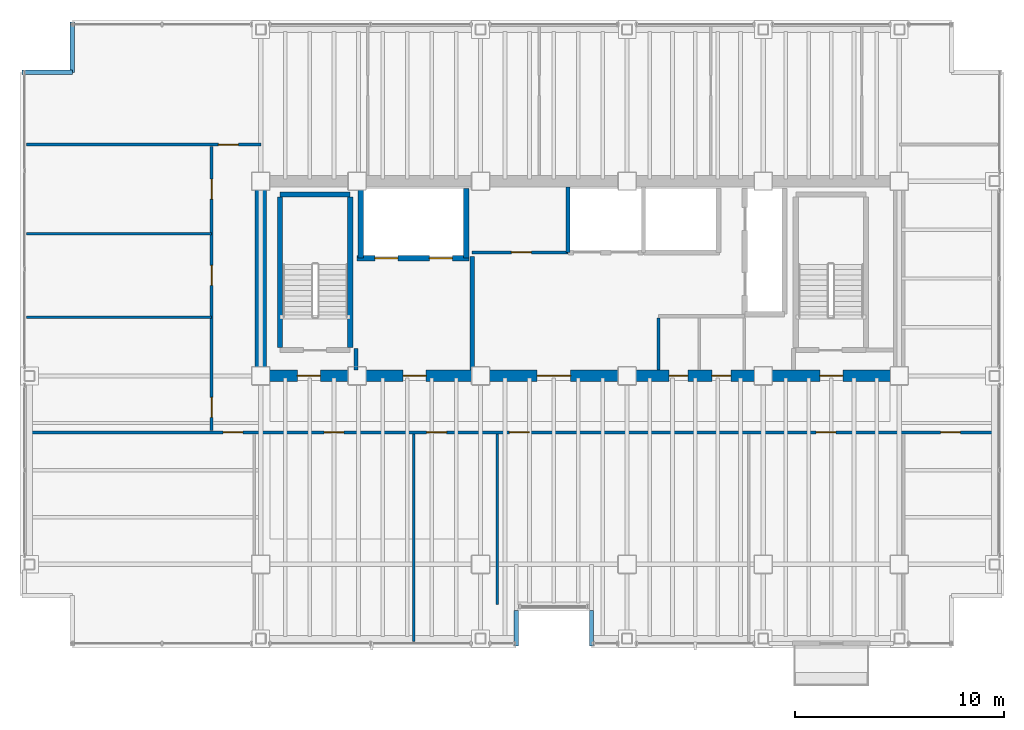
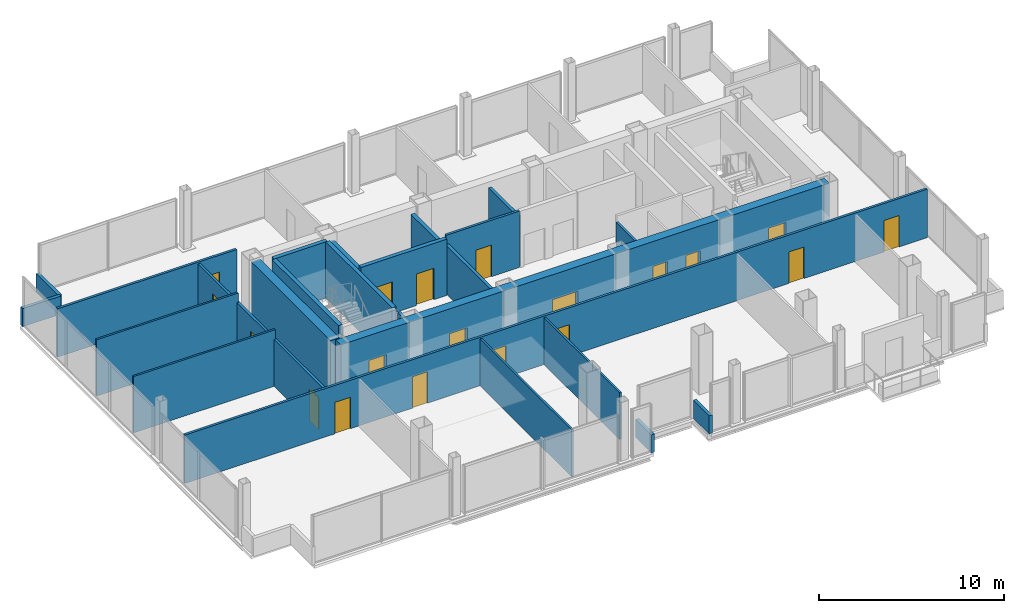
# One storey, part 16 of 19: 24 walls, 19 doors, 19 openings.
"""IFC4 building model written with IfcOpenShell, lengths in metres."""

from ifc_helpers import new_model, si_unit, direction, frame, frame_2d, origin, place, context, subcontext, project, spatial, rectangle, extrude, material, layer, layer_set, type_object, element, fill, save


model = new_model("IFC4")

# Units and contexts
model_context = context("Model", 3, precision=1e-05, world=origin(), true_north=direction((0.0, 1.0)))
body_context = subcontext(model_context, "Body", "Model", "MODEL_VIEW")
ifc_project = project(units=[si_unit("LENGTHUNIT", "METRE"), si_unit("AREAUNIT", "SQUARE_METRE"), si_unit("VOLUMEUNIT", "CUBIC_METRE"), si_unit("PLANEANGLEUNIT", "RADIAN"), si_unit("MASSUNIT", "GRAM", prefix="KILO")], contexts=[model_context])

# Site, building, storey
site_placement = place(None, origin())
site = spatial("IfcSite", under=ifc_project, at=site_placement, CompositionType="ELEMENT")
building_placement = place(site_placement, origin())
building = spatial("IfcBuilding", under=site, at=building_placement, Name="Noeulbin Bourse Tower", CompositionType="ELEMENT")
storey_placement = place(building_placement, frame((0.0, 0.0, 150.0)))
storey = spatial("IfcBuildingStorey", under=building, at=storey_placement, Name="L37", CompositionType="ELEMENT", Elevation=150.0)

# Wall, openings, doors
ifc_material_1 = material(Name="Concrete C60/75", Category="concrete")
ifc_layer_1 = layer(ifc_material_1, 0.550048828125)
ifc_layer_set_1 = layer_set([ifc_layer_1], Name="Concrete C60/75")
wall_type_1 = type_object("IfcWallType", Name="WAL-CORE-550", PredefinedType="SHEAR", material=ifc_layer_set_1)
wall_1_placement = place(storey_placement, frame((13.5, 29.0, 0.0), z_axis=(0.0, 0.0, 1.0), x_axis=(1.0, 0.0, 0.0)))
wall_1 = element("IfcWall", 1, at=wall_1_placement, inside=storey, type_object=wall_type_1, Name="Rear Core South Shear Wall L37", PredefinedType="SHEAR", context=body_context, shape_type="SweptSolid", body=[
    extrude(rectangle(XDim=30.5, YDim=0.550048828125, at=frame_2d((15.25, 0.0))), origin(), (0.0, 0.0, 1.0), 3.719970703125),
])
opening_1_placement = place(wall_1_placement, frame((1.75, 0.0, 0.0)))
opening_1 = element("IfcOpeningElement", 2, at=opening_1_placement, cuts=wall_1, Name="Opening FD-11", PredefinedType="OPENING", context=body_context, shape_type="SweptSolid", body=[
    extrude(rectangle(XDim=1.10009765625, YDim=2.080078125, at=frame_2d((0.550048828125, 1.0400390625))), frame((0.0, 0.284912109375, 0.0), z_axis=(0.0, -1.0, 0.0), x_axis=(1.0, 0.0, 0.0)), (0.0, 0.0, 1.0), 0.570068359375),
])
opening_2_placement = place(wall_1_placement, frame((26.699951171875, 0.0, 0.0)))
opening_2 = element("IfcOpeningElement", 3, at=opening_2_placement, cuts=wall_1, Name="Opening FD-11", PredefinedType="OPENING", context=body_context, shape_type="SweptSolid", body=[
    extrude(rectangle(XDim=1.10009765625, YDim=2.080078125, at=frame_2d((0.550048828125, 1.0400390625))), frame((0.0, 0.284912109375, 0.0), z_axis=(0.0, -1.0, 0.0), x_axis=(1.0, 0.0, 0.0)), (0.0, 0.0, 1.0), 0.570068359375),
])
opening_3_placement = place(wall_1_placement, frame((6.800048828125, 0.0, 0.0)))
opening_3 = element("IfcOpeningElement", 4, at=opening_3_placement, cuts=wall_1, Name="Opening FD-11", PredefinedType="OPENING", context=body_context, shape_type="SweptSolid", body=[
    extrude(rectangle(XDim=1.10009765625, YDim=2.080078125, at=frame_2d((0.550048828125, 1.0400390625))), frame((0.0, 0.284912109375, 0.0), z_axis=(0.0, -1.0, 0.0), x_axis=(1.0, 0.0, 0.0)), (0.0, 0.0, 1.0), 0.570068359375),
])
opening_4_placement = place(wall_1_placement, frame((13.199951171875, 0.0, 0.0)))
opening_4 = element("IfcOpeningElement", 5, at=opening_4_placement, cuts=wall_1, Name="Opening ID-16", PredefinedType="OPENING", context=body_context, shape_type="SweptSolid", body=[
    extrude(rectangle(XDim=1.60009765625, YDim=2.080078125, at=frame_2d((0.800048828125, 1.0400390625))), frame((0.0, 0.284912109375, 0.0), z_axis=(0.0, -1.0, 0.0), x_axis=(1.0, 0.0, 0.0)), (0.0, 0.0, 1.0), 0.570068359375),
])
opening_5_placement = place(wall_1_placement, frame((19.5, 0.0, 0.0)))
opening_5 = element("IfcOpeningElement", 6, at=opening_5_placement, cuts=wall_1, Name="Opening FD-09", PredefinedType="OPENING", context=body_context, shape_type="SweptSolid", body=[
    extrude(rectangle(XDim=0.89990234375, YDim=2.080078125, at=frame_2d((0.449951171875, 1.0400390625))), frame((0.0, 0.284912109375, 0.0), z_axis=(0.0, -1.0, 0.0), x_axis=(1.0, 0.0, 0.0)), (0.0, 0.0, 1.0), 0.570068359375),
])
opening_6_placement = place(wall_1_placement, frame((21.550048828125, 0.0, 0.0)))
opening_6 = element("IfcOpeningElement", 7, at=opening_6_placement, cuts=wall_1, Name="Opening FD-09", PredefinedType="OPENING", context=body_context, shape_type="SweptSolid", body=[
    extrude(rectangle(XDim=0.89990234375, YDim=2.080078125, at=frame_2d((0.449951171875, 1.0400390625))), frame((0.0, 0.284912109375, 0.0), z_axis=(0.0, -1.0, 0.0), x_axis=(1.0, 0.0, 0.0)), (0.0, 0.0, 1.0), 0.570068359375),
])
ifc_material_2 = material(Name="Acoustic Glazed Aluminium", Category="aluminium")
door_type_1 = type_object("IfcDoorType", Name="DR-DBL-1600", OperationType="DOUBLE_DOOR_SINGLE_SWING", PredefinedType="DOOR", material=ifc_material_2)
door_1_placement = place(opening_4_placement, origin())
door_1 = element("IfcDoor", 8, at=door_1_placement, inside=storey, type_object=door_type_1, Name="Passenger Lift Lobby Portal L37", OperationType="DOUBLE_DOOR_SINGLE_SWING", OverallHeight=2.080078125, OverallWidth=1.60009765625, PredefinedType="DOOR", context=body_context, shape_type="SweptSolid", body=[
    extrude(rectangle(XDim=1.60009765625, YDim=2.080078125, at=frame_2d((0.800048828125, 1.0400390625))), frame((0.0, 0.02490234375, 0.0), z_axis=(0.0, -1.0, 0.0), x_axis=(1.0, 0.0, 0.0)), (0.0, 0.0, 1.0), 0.050048828125),
])
fill(opening_4, door_1)
ifc_material_3 = material(Name="Fire-Rated Timber Core", Category="wood")
door_type_2 = type_object("IfcDoorType", Name="DR-FD30-900", OperationType="SINGLE_SWING_RIGHT", PredefinedType="DOOR", material=ifc_material_3)
door_2_placement = place(opening_5_placement, origin())
door_2 = element("IfcDoor", 9, at=door_2_placement, inside=storey, type_object=door_type_2, Name="Interior Door L37-06", OperationType="SINGLE_SWING_LEFT", OverallHeight=2.080078125, OverallWidth=0.89990234375, PredefinedType="DOOR", context=body_context, shape_type="SweptSolid", body=[
    extrude(rectangle(XDim=0.89990234375, YDim=2.080078125, at=frame_2d((0.449951171875, 1.0400390625))), frame((0.0, 0.02490234375, 0.0), z_axis=(0.0, -1.0, 0.0), x_axis=(1.0, 0.0, 0.0)), (0.0, 0.0, 1.0), 0.050048828125),
])
fill(opening_5, door_2)
door_3_placement = place(opening_6_placement, origin())
door_3 = element("IfcDoor", 10, at=door_3_placement, inside=storey, type_object=door_type_2, Name="Interior Door L37-07", OperationType="SINGLE_SWING_RIGHT", OverallHeight=2.080078125, OverallWidth=0.89990234375, PredefinedType="DOOR", context=body_context, shape_type="SweptSolid", body=[
    extrude(rectangle(XDim=0.89990234375, YDim=2.080078125, at=frame_2d((0.449951171875, 1.0400390625))), frame((0.0, 0.02490234375, 0.0), z_axis=(0.0, -1.0, 0.0), x_axis=(1.0, 0.0, 0.0)), (0.0, 0.0, 1.0), 0.050048828125),
])
fill(opening_6, door_3)
ifc_material_4 = material(Name="Fire-Rated Insulated Steel", Category="steel")
door_type_3 = type_object("IfcDoorType", Name="DR-FD60-1100", OperationType="SINGLE_SWING_LEFT", PredefinedType="DOOR", material=ifc_material_4)
door_4_placement = place(opening_1_placement, origin())
door_4 = element("IfcDoor", 11, at=door_4_placement, inside=storey, type_object=door_type_3, Name="West Stair Lobby Door L37", OperationType="SINGLE_SWING_RIGHT", OverallHeight=2.080078125, OverallWidth=1.10009765625, PredefinedType="DOOR", context=body_context, shape_type="SweptSolid", body=[
    extrude(rectangle(XDim=1.10009765625, YDim=2.080078125, at=frame_2d((0.550048828125, 1.0400390625))), frame((0.0, 0.02490234375, 0.0), z_axis=(0.0, -1.0, 0.0), x_axis=(1.0, 0.0, 0.0)), (0.0, 0.0, 1.0), 0.050048828125),
])
fill(opening_1, door_4)
door_5_placement = place(opening_2_placement, origin())
door_5 = element("IfcDoor", 12, at=door_5_placement, inside=storey, type_object=door_type_3, Name="East Stair Lobby Door L37", OperationType="SINGLE_SWING_LEFT", OverallHeight=2.080078125, OverallWidth=1.10009765625, PredefinedType="DOOR", context=body_context, shape_type="SweptSolid", body=[
    extrude(rectangle(XDim=1.10009765625, YDim=2.080078125, at=frame_2d((0.550048828125, 1.0400390625))), frame((0.0, 0.02490234375, 0.0), z_axis=(0.0, -1.0, 0.0), x_axis=(1.0, 0.0, 0.0)), (0.0, 0.0, 1.0), 0.050048828125),
])
fill(opening_2, door_5)
door_6_placement = place(opening_3_placement, origin())
door_6 = element("IfcDoor", 13, at=door_6_placement, inside=storey, type_object=door_type_3, Name="Firefighting Lobby Door L37", OperationType="SINGLE_SWING_RIGHT", OverallHeight=2.080078125, OverallWidth=1.10009765625, PredefinedType="DOOR", context=body_context, shape_type="SweptSolid", body=[
    extrude(rectangle(XDim=1.10009765625, YDim=2.080078125, at=frame_2d((0.550048828125, 1.0400390625))), frame((0.0, 0.02490234375, 0.0), z_axis=(0.0, -1.0, 0.0), x_axis=(1.0, 0.0, 0.0)), (0.0, 0.0, 1.0), 0.050048828125),
])
fill(opening_3, door_6)

# Walls
wall_2_placement = place(storey_placement, frame((13.5, 29.35009765625, 0.0), z_axis=(0.0, 0.0, 1.0), x_axis=(0.0, 1.0, 0.0)))
element("IfcWall", 14, at=wall_2_placement, inside=storey, type_object=wall_type_1, Name="Rear Core West Shear Wall L37", PredefinedType="SHEAR", context=body_context, shape_type="SweptSolid", body=[
    extrude(rectangle(XDim=8.599853515625, YDim=0.550048828125, at=frame_2d((4.2998046875, 0.0))), origin(), (0.0, 0.0, 1.0), 3.719970703125),
])
ifc_material_5 = material(Name="Concrete C40/50", Category="concrete")
ifc_layer_2 = layer(ifc_material_5, 0.199951171875)
ifc_layer_set_2 = layer_set([ifc_layer_2], Name="Concrete C40/50")
wall_type_2 = type_object("IfcWallType", Name="WAL-FIRE-200", PredefinedType="STANDARD", material=ifc_layer_set_2)
wall_3_placement = place(storey_placement, frame((18.050048828125, 29.284912109375, 0.0), z_axis=(0.0, 0.0, 1.0), x_axis=(0.0, 1.0, 0.0)))
element("IfcWall", 15, at=wall_3_placement, inside=storey, type_object=wall_type_2, Name="Interior Partition Wall L37-09", PredefinedType="STANDARD", context=body_context, shape_type="SweptSolid", body=[
    extrude(rectangle(XDim=1.01513671875, YDim=0.199951171875, at=frame_2d((0.507568359375, 0.0))), origin(), (0.0, 0.0, 1.0), 3.35009765625),
])
wall_4_placement = place(storey_placement, frame((23.60009765625, 29.284912109375, 0.0), z_axis=(0.0, 0.0, 1.0), x_axis=(0.0, 1.0, 0.0)))
element("IfcWall", 16, at=wall_4_placement, inside=storey, type_object=wall_type_2, Name="Interior Partition Wall L37-11", PredefinedType="STANDARD", context=body_context, shape_type="SweptSolid", body=[
    extrude(rectangle(XDim=5.4150390625, YDim=0.199951171875, at=frame_2d((2.70751953125, 0.0))), origin(), (0.0, 0.0, 1.0), 3.199951171875),
])
ifc_layer_3 = layer(ifc_material_5, 0.199951171875)
ifc_layer_set_3 = layer_set([ifc_layer_3], Name="Concrete C40/50")
wall_type_3 = type_object("IfcWallType", Name="WAL-PAR-200", PredefinedType="PARAPET", material=ifc_layer_set_3)
for number, where, z_axis, x_axis, name in (
    (17, (2.10009765625, 43.5, 0.0), (0.0, 0.0, 1.0), (1.0, 0.0, 0.0), "Corner Notch Parapet L37-NW1"),
    (18, (4.5, 43.5, 0.0), (0.0, 0.0, 1.0), (0.0, 1.0, 0.0), "Corner Notch Parapet L37-NW2"),
):
    element("IfcWall", number, at=place(storey_placement, frame(where, z_axis=z_axis, x_axis=x_axis)), inside=storey, type_object=wall_type_3, Name=name, PredefinedType="PARAPET", context=body_context, shape_type="SweptSolid", body=[
        extrude(rectangle(XDim=2.39990234375, YDim=0.199951171875, at=frame_2d((1.199951171875, 0.0))), origin(), (0.0, 0.0, 1.0), 1.199951171875),
    ])
for number, where, z_axis, x_axis, name in (
    (19, (25.699951171875, 16.10009765625, 0.0), (0.0, 0.0, 1.0), (0.0, 1.0, 0.0), "Sky-Garden Recess Parapet L37-W"),
    (20, (29.300048828125, 17.800048828125, 0.0), (0.0, 0.0, 1.0), (0.0, -1.0, 0.0), "Sky-Garden Recess Parapet L37-E"),
):
    element("IfcWall", number, at=place(storey_placement, frame(where, z_axis=z_axis, x_axis=x_axis)), inside=storey, type_object=wall_type_3, Name=name, PredefinedType="PARAPET", context=body_context, shape_type="SweptSolid", body=[
        extrude(rectangle(XDim=1.699951171875, YDim=0.199951171875, at=frame_2d((0.85009765625, 0.0))), origin(), (0.0, 0.0, 1.0), 1.199951171875),
    ])
ifc_material_6 = material(Name="Steel Stud Gypsum Partition", Category="steel")
ifc_layer_4 = layer(ifc_material_6, 0.1201171875)
ifc_layer_set_4 = layer_set([ifc_layer_4], Name="Steel Stud Gypsum Partition")
wall_type_4 = type_object("IfcWallType", Name="WAL-PRT-120", PredefinedType="PARTITIONING", material=ifc_layer_set_4)
for number, where, z_axis, x_axis, name in (
    (21, (2.31005859375, 31.800048828125, 0.0), (0.0, 0.0, 1.0), (1.0, 0.0, 0.0), "Interior Partition Wall L37-05"),
    (22, (2.31005859375, 35.800048828125, 0.0), (0.0, 0.0, 1.0), (1.0, 0.0, 0.0), "Interior Partition Wall L37-06"),
):
    element("IfcWall", number, at=place(storey_placement, frame(where, z_axis=z_axis, x_axis=x_axis)), inside=storey, type_object=wall_type_4, Name=name, PredefinedType="PARTITIONING", context=body_context, shape_type="SweptSolid", body=[
        extrude(rectangle(XDim=8.83984375, YDim=0.1201171875, at=frame_2d((4.419921875, 0.0))), origin(), (0.0, 0.0, 1.0), 3.719970703125),
    ])
wall_5_placement = place(storey_placement, frame((20.800048828125, 16.31005859375, 0.0), z_axis=(0.0, 0.0, 1.0), x_axis=(0.0, 1.0, 0.0)))
element("IfcWall", 23, at=wall_5_placement, inside=storey, type_object=wall_type_4, Name="Interior Partition Wall L37-17", PredefinedType="PARTITIONING", context=body_context, shape_type="SweptSolid", body=[
    extrude(rectangle(XDim=9.905029296875, YDim=0.1201171875, at=frame_2d((4.95263671875, 0.0))), origin(), (0.0, 0.0, 1.0), 3.10009765625),
])
wall_6_placement = place(storey_placement, frame((24.800048828125, 18.070068359375, 0.0), z_axis=(0.0, 0.0, 1.0), x_axis=(0.0, 1.0, 0.0)))
element("IfcWall", 24, at=wall_6_placement, inside=storey, type_object=wall_type_4, Name="Interior Partition Wall L37-18", PredefinedType="PARTITIONING", context=body_context, shape_type="SweptSolid", body=[
    extrude(rectangle(XDim=8.14501953125, YDim=0.1201171875, at=frame_2d((4.072509765625, 0.0))), origin(), (0.0, 0.0, 1.0), 3.10009765625),
])

# Wall, opening, door
ifc_material_7 = material(Name="Steel Stud Acoustic Gypsum Board", Category="steel")
ifc_layer_5 = layer(ifc_material_7, 0.14990234375)
ifc_layer_set_5 = layer_set([ifc_layer_5], Name="Steel Stud Acoustic Gypsum Board")
wall_type_5 = type_object("IfcWallType", Name="WAL-PRT-150", PredefinedType="PARTITIONING", material=ifc_layer_set_5)
wall_7_placement = place(storey_placement, frame((23.60009765625, 34.89990234375, 0.0), z_axis=(0.0, 0.0, 1.0), x_axis=(1.0, 0.0, 0.0)))
wall_7 = element("IfcWall", 25, at=wall_7_placement, inside=storey, type_object=wall_type_5, Name="Interior Partition Wall L37-02", PredefinedType="PARTITIONING", context=body_context, shape_type="SweptSolid", body=[
    extrude(rectangle(XDim=4.579833984375, YDim=0.14990234375, at=frame_2d((2.2900390625, 0.0))), origin(), (0.0, 0.0, 1.0), 3.719970703125),
])
opening_7_placement = place(wall_7_placement, frame((1.875, 0.0, 0.0)))
opening_7 = element("IfcOpeningElement", 26, at=opening_7_placement, cuts=wall_7, Name="Opening ID-09", PredefinedType="OPENING", context=body_context, shape_type="SweptSolid", body=[
    extrude(rectangle(XDim=0.949951171875, YDim=2.080078125, at=frame_2d((0.47509765625, 1.0400390625))), frame((0.0, 0.0849609375, 0.0), z_axis=(0.0, -1.0, 0.0), x_axis=(1.0, 0.0, 0.0)), (0.0, 0.0, 1.0), 0.169921875),
])
ifc_material_8 = material(Name="Acoustic Solid-Core Timber", Category="wood")
door_type_4 = type_object("IfcDoorType", Name="DR-SINGLE-950", OperationType="SINGLE_SWING_LEFT", PredefinedType="DOOR", material=ifc_material_8)
door_7_placement = place(opening_7_placement, origin())
door_7 = element("IfcDoor", 27, at=door_7_placement, inside=storey, type_object=door_type_4, Name="Archive Room Door L37", OperationType="SINGLE_SWING_RIGHT", OverallHeight=2.080078125, OverallWidth=0.949951171875, PredefinedType="DOOR", context=body_context, shape_type="SweptSolid", body=[
    extrude(rectangle(XDim=0.949951171875, YDim=2.080078125, at=frame_2d((0.47509765625, 1.0400390625))), frame((0.0, 0.02490234375, 0.0), z_axis=(0.0, -1.0, 0.0), x_axis=(1.0, 0.0, 0.0)), (0.0, 0.0, 1.0), 0.050048828125),
])
fill(opening_7, door_7)

# Wall, openings, doors
wall_8_placement = place(storey_placement, frame((2.31005859375, 26.300048828125, 0.0), z_axis=(0.0, 0.0, 1.0), x_axis=(1.0, 0.0, 0.0)))
wall_8 = element("IfcWall", 28, at=wall_8_placement, inside=storey, type_object=wall_type_5, Name="Interior Partition Wall L37-04", PredefinedType="PARTITIONING", context=body_context, shape_type="SweptSolid", body=[
    extrude(rectangle(XDim=46.3798828125, YDim=0.14990234375, at=frame_2d((23.18994140625, 0.0))), origin(), (0.0, 0.0, 1.0), 3.199951171875),
])
opening_8_placement = place(wall_8_placement, frame((9.389892578125, 0.0, 0.0)))
opening_8 = element("IfcOpeningElement", 29, at=opening_8_placement, cuts=wall_8, Name="Opening ID-09", PredefinedType="OPENING", context=body_context, shape_type="SweptSolid", body=[
    extrude(rectangle(XDim=0.949951171875, YDim=2.080078125, at=frame_2d((0.47509765625, 1.0400390625))), frame((0.0, 0.0849609375, 0.0), z_axis=(0.0, -1.0, 0.0), x_axis=(1.0, 0.0, 0.0)), (0.0, 0.0, 1.0), 0.169921875),
])
opening_9_placement = place(wall_8_placement, frame((14.215087890625, 0.0, 0.0)))
opening_9 = element("IfcOpeningElement", 30, at=opening_9_placement, cuts=wall_8, Name="Opening ID-09", PredefinedType="OPENING", context=body_context, shape_type="SweptSolid", body=[
    extrude(rectangle(XDim=0.949951171875, YDim=2.080078125, at=frame_2d((0.47509765625, 1.0400390625))), frame((0.0, 0.0849609375, 0.0), z_axis=(0.0, -1.0, 0.0), x_axis=(1.0, 0.0, 0.0)), (0.0, 0.0, 1.0), 0.169921875),
])
opening_10_placement = place(wall_8_placement, frame((19.114990234375, 0.0, 0.0)))
opening_10 = element("IfcOpeningElement", 31, at=opening_10_placement, cuts=wall_8, Name="Opening ID-09", PredefinedType="OPENING", context=body_context, shape_type="SweptSolid", body=[
    extrude(rectangle(XDim=0.949951171875, YDim=2.080078125, at=frame_2d((0.47509765625, 1.0400390625))), frame((0.0, 0.0849609375, 0.0), z_axis=(0.0, -1.0, 0.0), x_axis=(1.0, 0.0, 0.0)), (0.0, 0.0, 1.0), 0.169921875),
])
opening_11_placement = place(wall_8_placement, frame((23.06494140625, 0.0, 0.0)))
opening_11 = element("IfcOpeningElement", 32, at=opening_11_placement, cuts=wall_8, Name="Opening ID-09", PredefinedType="OPENING", context=body_context, shape_type="SweptSolid", body=[
    extrude(rectangle(XDim=0.949951171875, YDim=2.080078125, at=frame_2d((0.47509765625, 1.0400390625))), frame((0.0, 0.0849609375, 0.0), z_axis=(0.0, -1.0, 0.0), x_axis=(1.0, 0.0, 0.0)), (0.0, 0.0, 1.0), 0.169921875),
])
opening_12_placement = place(wall_8_placement, frame((37.715087890625, 0.0, 0.0)))
opening_12 = element("IfcOpeningElement", 33, at=opening_12_placement, cuts=wall_8, Name="Opening ID-09", PredefinedType="OPENING", context=body_context, shape_type="SweptSolid", body=[
    extrude(rectangle(XDim=0.949951171875, YDim=2.080078125, at=frame_2d((0.47509765625, 1.0400390625))), frame((0.0, 0.0849609375, 0.0), z_axis=(0.0, -1.0, 0.0), x_axis=(1.0, 0.0, 0.0)), (0.0, 0.0, 1.0), 0.169921875),
])
opening_13_placement = place(wall_8_placement, frame((43.659912109375, 0.0, 0.0)))
opening_13 = element("IfcOpeningElement", 34, at=opening_13_placement, cuts=wall_8, Name="Opening ID-09", PredefinedType="OPENING", context=body_context, shape_type="SweptSolid", body=[
    extrude(rectangle(XDim=0.949951171875, YDim=2.080078125, at=frame_2d((0.47509765625, 1.0400390625))), frame((0.0, 0.0849609375, 0.0), z_axis=(0.0, -1.0, 0.0), x_axis=(1.0, 0.0, 0.0)), (0.0, 0.0, 1.0), 0.169921875),
])
door_8_placement = place(opening_8_placement, origin())
door_8 = element("IfcDoor", 35, at=door_8_placement, inside=storey, type_object=door_type_4, Name="Interior Door L37-08", OperationType="SINGLE_SWING_LEFT", OverallHeight=2.080078125, OverallWidth=0.949951171875, PredefinedType="DOOR", context=body_context, shape_type="SweptSolid", body=[
    extrude(rectangle(XDim=0.949951171875, YDim=2.080078125, at=frame_2d((0.47509765625, 1.0400390625))), frame((0.0, 0.02490234375, 0.0), z_axis=(0.0, -1.0, 0.0), x_axis=(1.0, 0.0, 0.0)), (0.0, 0.0, 1.0), 0.050048828125),
])
fill(opening_8, door_8)
door_9_placement = place(opening_9_placement, origin())
door_9 = element("IfcDoor", 36, at=door_9_placement, inside=storey, type_object=door_type_4, Name="Interior Door L37-09", OperationType="SINGLE_SWING_RIGHT", OverallHeight=2.080078125, OverallWidth=0.949951171875, PredefinedType="DOOR", context=body_context, shape_type="SweptSolid", body=[
    extrude(rectangle(XDim=0.949951171875, YDim=2.080078125, at=frame_2d((0.47509765625, 1.0400390625))), frame((0.0, 0.02490234375, 0.0), z_axis=(0.0, -1.0, 0.0), x_axis=(1.0, 0.0, 0.0)), (0.0, 0.0, 1.0), 0.050048828125),
])
fill(opening_9, door_9)
door_10_placement = place(opening_10_placement, origin())
door_10 = element("IfcDoor", 37, at=door_10_placement, inside=storey, type_object=door_type_4, Name="Interior Door L37-10", OperationType="SINGLE_SWING_LEFT", OverallHeight=2.080078125, OverallWidth=0.949951171875, PredefinedType="DOOR", context=body_context, shape_type="SweptSolid", body=[
    extrude(rectangle(XDim=0.949951171875, YDim=2.080078125, at=frame_2d((0.47509765625, 1.0400390625))), frame((0.0, 0.02490234375, 0.0), z_axis=(0.0, -1.0, 0.0), x_axis=(1.0, 0.0, 0.0)), (0.0, 0.0, 1.0), 0.050048828125),
])
fill(opening_10, door_10)
door_11_placement = place(opening_11_placement, origin())
door_11 = element("IfcDoor", 38, at=door_11_placement, inside=storey, type_object=door_type_4, Name="Interior Door L37-11", OperationType="SINGLE_SWING_RIGHT", OverallHeight=2.080078125, OverallWidth=0.949951171875, PredefinedType="DOOR", context=body_context, shape_type="SweptSolid", body=[
    extrude(rectangle(XDim=0.949951171875, YDim=2.080078125, at=frame_2d((0.47509765625, 1.0400390625))), frame((0.0, 0.02490234375, 0.0), z_axis=(0.0, -1.0, 0.0), x_axis=(1.0, 0.0, 0.0)), (0.0, 0.0, 1.0), 0.050048828125),
])
fill(opening_11, door_11)
door_12_placement = place(opening_12_placement, origin())
door_12 = element("IfcDoor", 39, at=door_12_placement, inside=storey, type_object=door_type_4, Name="Interior Door L37-12", OperationType="SINGLE_SWING_LEFT", OverallHeight=2.080078125, OverallWidth=0.949951171875, PredefinedType="DOOR", context=body_context, shape_type="SweptSolid", body=[
    extrude(rectangle(XDim=0.949951171875, YDim=2.080078125, at=frame_2d((0.47509765625, 1.0400390625))), frame((0.0, 0.02490234375, 0.0), z_axis=(0.0, -1.0, 0.0), x_axis=(1.0, 0.0, 0.0)), (0.0, 0.0, 1.0), 0.050048828125),
])
fill(opening_12, door_12)
door_13_placement = place(opening_13_placement, origin())
door_13 = element("IfcDoor", 40, at=door_13_placement, inside=storey, type_object=door_type_4, Name="Interior Door L37-13", OperationType="SINGLE_SWING_RIGHT", OverallHeight=2.080078125, OverallWidth=0.949951171875, PredefinedType="DOOR", context=body_context, shape_type="SweptSolid", body=[
    extrude(rectangle(XDim=0.949951171875, YDim=2.080078125, at=frame_2d((0.47509765625, 1.0400390625))), frame((0.0, 0.02490234375, 0.0), z_axis=(0.0, -1.0, 0.0), x_axis=(1.0, 0.0, 0.0)), (0.0, 0.0, 1.0), 0.050048828125),
])
fill(opening_13, door_13)

# Wall, opening, door
wall_9_placement = place(storey_placement, frame((2.31005859375, 40.050048828125, 0.0), z_axis=(0.0, 0.0, 1.0), x_axis=(1.0, 0.0, 0.0)))
wall_9 = element("IfcWall", 41, at=wall_9_placement, inside=storey, type_object=wall_type_5, Name="Interior Partition Wall L37-07", PredefinedType="PARTITIONING", context=body_context, shape_type="SweptSolid", body=[
    extrude(rectangle(XDim=11.18994140625, YDim=0.14990234375, at=frame_2d((5.594970703125, 0.0))), origin(), (0.0, 0.0, 1.0), 3.199951171875),
])
opening_14_placement = place(wall_9_placement, frame((9.1650390625, 0.0, 0.0)))
opening_14 = element("IfcOpeningElement", 42, at=opening_14_placement, cuts=wall_9, Name="Opening ID-09", PredefinedType="OPENING", context=body_context, shape_type="SweptSolid", body=[
    extrude(rectangle(XDim=0.949951171875, YDim=2.080078125, at=frame_2d((0.47509765625, 1.0400390625))), frame((0.0, 0.0849609375, 0.0), z_axis=(0.0, -1.0, 0.0), x_axis=(1.0, 0.0, 0.0)), (0.0, 0.0, 1.0), 0.169921875),
])
door_14_placement = place(opening_14_placement, origin())
door_14 = element("IfcDoor", 43, at=door_14_placement, inside=storey, type_object=door_type_4, Name="Interior Door L37-17", OperationType="SINGLE_SWING_RIGHT", OverallHeight=2.080078125, OverallWidth=0.949951171875, PredefinedType="DOOR", context=body_context, shape_type="SweptSolid", body=[
    extrude(rectangle(XDim=0.949951171875, YDim=2.080078125, at=frame_2d((0.47509765625, 1.0400390625))), frame((0.0, 0.02490234375, 0.0), z_axis=(0.0, -1.0, 0.0), x_axis=(1.0, 0.0, 0.0)), (0.0, 0.0, 1.0), 0.050048828125),
])
fill(opening_14, door_14)

# Wall
wall_10_placement = place(storey_placement, frame((32.5, 29.284912109375, 0.0), z_axis=(0.0, 0.0, 1.0), x_axis=(0.0, 1.0, 0.0)))
element("IfcWall", 44, at=wall_10_placement, inside=storey, type_object=wall_type_5, Name="Interior Partition Wall L37-12", PredefinedType="PARTITIONING", context=body_context, shape_type="SweptSolid", body=[
    extrude(rectangle(XDim=2.47998046875, YDim=0.14990234375, at=frame_2d((1.239990234375, 0.0))), origin(), (0.0, 0.0, 1.0), 3.35009765625),
])

# Wall, openings, doors
wall_11_placement = place(storey_placement, frame((11.14990234375, 26.385009765625, 0.0), z_axis=(0.0, 0.0, 1.0), x_axis=(0.0, 1.0, 0.0)))
wall_11 = element("IfcWall", 45, at=wall_11_placement, inside=storey, type_object=wall_type_5, Name="Interior Partition Wall L37-15", PredefinedType="PARTITIONING", context=body_context, shape_type="SweptSolid", body=[
    extrude(rectangle(XDim=13.580078125, YDim=0.14990234375, at=frame_2d((6.7900390625, 0.0))), origin(), (0.0, 0.0, 1.0), 3.10009765625),
])
opening_15_placement = place(wall_11_placement, frame((0.639892578125, 0.0, 0.0)))
opening_15 = element("IfcOpeningElement", 46, at=opening_15_placement, cuts=wall_11, Name="Opening ID-09", PredefinedType="OPENING", context=body_context, shape_type="SweptSolid", body=[
    extrude(rectangle(XDim=0.949951171875, YDim=2.080078125, at=frame_2d((0.47509765625, 1.0400390625))), frame((0.0, 0.0849609375, 0.0), z_axis=(0.0, -1.0, 0.0), x_axis=(1.0, 0.0, 0.0)), (0.0, 0.0, 1.0), 0.169921875),
])
opening_16_placement = place(wall_11_placement, frame((6.93994140625, 0.0, 0.0)))
opening_16 = element("IfcOpeningElement", 47, at=opening_16_placement, cuts=wall_11, Name="Opening ID-09", PredefinedType="OPENING", context=body_context, shape_type="SweptSolid", body=[
    extrude(rectangle(XDim=0.949951171875, YDim=2.080078125, at=frame_2d((0.47509765625, 1.0400390625))), frame((0.0, 0.0849609375, 0.0), z_axis=(0.0, -1.0, 0.0), x_axis=(1.0, 0.0, 0.0)), (0.0, 0.0, 1.0), 0.169921875),
])
opening_17_placement = place(wall_11_placement, frame((11.06494140625, 0.0, 0.0)))
opening_17 = element("IfcOpeningElement", 48, at=opening_17_placement, cuts=wall_11, Name="Opening ID-09", PredefinedType="OPENING", context=body_context, shape_type="SweptSolid", body=[
    extrude(rectangle(XDim=0.949951171875, YDim=2.080078125, at=frame_2d((0.47509765625, 1.0400390625))), frame((0.0, 0.0849609375, 0.0), z_axis=(0.0, -1.0, 0.0), x_axis=(1.0, 0.0, 0.0)), (0.0, 0.0, 1.0), 0.169921875),
])
door_15_placement = place(opening_15_placement, origin())
door_15 = element("IfcDoor", 49, at=door_15_placement, inside=storey, type_object=door_type_4, Name="Interior Door L37-14", OperationType="SINGLE_SWING_LEFT", OverallHeight=2.080078125, OverallWidth=0.949951171875, PredefinedType="DOOR", context=body_context, shape_type="SweptSolid", body=[
    extrude(rectangle(XDim=0.949951171875, YDim=2.080078125, at=frame_2d((0.47509765625, 1.0400390625))), frame((0.0, 0.02490234375, 0.0), z_axis=(0.0, -1.0, 0.0), x_axis=(1.0, 0.0, 0.0)), (0.0, 0.0, 1.0), 0.050048828125),
])
fill(opening_15, door_15)
door_16_placement = place(opening_16_placement, origin())
door_16 = element("IfcDoor", 50, at=door_16_placement, inside=storey, type_object=door_type_4, Name="Interior Door L37-15", OperationType="SINGLE_SWING_RIGHT", OverallHeight=2.080078125, OverallWidth=0.949951171875, PredefinedType="DOOR", context=body_context, shape_type="SweptSolid", body=[
    extrude(rectangle(XDim=0.949951171875, YDim=2.080078125, at=frame_2d((0.47509765625, 1.0400390625))), frame((0.0, 0.02490234375, 0.0), z_axis=(0.0, -1.0, 0.0), x_axis=(1.0, 0.0, 0.0)), (0.0, 0.0, 1.0), 0.050048828125),
])
fill(opening_16, door_16)
door_17_placement = place(opening_17_placement, origin())
door_17 = element("IfcDoor", 51, at=door_17_placement, inside=storey, type_object=door_type_4, Name="Interior Door L37-16", OperationType="SINGLE_SWING_LEFT", OverallHeight=2.080078125, OverallWidth=0.949951171875, PredefinedType="DOOR", context=body_context, shape_type="SweptSolid", body=[
    extrude(rectangle(XDim=0.949951171875, YDim=2.080078125, at=frame_2d((0.47509765625, 1.0400390625))), frame((0.0, 0.02490234375, 0.0), z_axis=(0.0, -1.0, 0.0), x_axis=(1.0, 0.0, 0.0)), (0.0, 0.0, 1.0), 0.050048828125),
])
fill(opening_17, door_17)

# Walls
ifc_layer_6 = layer(ifc_material_5, 0.25)
ifc_layer_set_6 = layer_set([ifc_layer_6], Name="Concrete C40/50")
wall_type_6 = type_object("IfcWallType", Name="WAL-SHFT-250", PredefinedType="STANDARD", material=ifc_layer_set_6)
wall_12_placement = place(storey_placement, frame((14.429931640625, 37.6689453125, 0.0), z_axis=(0.0, 0.0, 1.0), x_axis=(1.0, 0.0, 0.0)))
element("IfcWall", 52, at=wall_12_placement, inside=storey, type_object=wall_type_6, Name="Stair ST-1 North Shaft Wall L37", PredefinedType="STANDARD", context=body_context, shape_type="SweptSolid", body=[
    extrude(rectangle(XDim=3.340087890625, YDim=0.25, at=frame_2d((1.669921875, 0.0))), origin(), (0.0, 0.0, 1.0), 3.719970703125),
])
for number, where, z_axis, x_axis, name in (
    (53, (14.425048828125, 30.360107421875, 0.0), (0.0, 0.0, 1.0), (0.0, 1.0, 0.0), "Stair ST-1 West Shaft Wall L37"),
    (54, (17.77490234375, 30.360107421875, 0.0), (0.0, 0.0, 1.0), (0.0, 1.0, 0.0), "Stair ST-1 East Shaft Wall L37"),
):
    element("IfcWall", number, at=place(storey_placement, frame(where, z_axis=z_axis, x_axis=x_axis)), inside=storey, type_object=wall_type_6, Name=name, PredefinedType="STANDARD", context=body_context, shape_type="SweptSolid", body=[
        extrude(rectangle(XDim=7.183837890625, YDim=0.25, at=frame_2d((3.591796875, 0.0))), origin(), (0.0, 0.0, 1.0), 3.719970703125),
    ])

# Wall, openings, doors
wall_13_placement = place(storey_placement, frame((18.10009765625, 34.6201171875, 0.0), z_axis=(0.0, 0.0, 1.0), x_axis=(1.0, 0.0, 0.0)))
wall_13 = element("IfcWall", 55, at=wall_13_placement, inside=storey, type_object=wall_type_6, Name="Firefighting Lift Shaft Front L37", PredefinedType="STANDARD", context=body_context, shape_type="SweptSolid", body=[
    extrude(rectangle(XDim=5.349853515625, YDim=0.25, at=frame_2d((2.6748046875, 0.0))), origin(), (0.0, 0.0, 1.0), 3.719970703125),
])
opening_18_placement = place(wall_13_placement, frame((0.85009765625, 0.0, 0.0)))
opening_18 = element("IfcOpeningElement", 56, at=opening_18_placement, cuts=wall_13, Name="Opening LD-11", PredefinedType="OPENING", context=body_context, shape_type="SweptSolid", body=[
    extrude(rectangle(XDim=1.10009765625, YDim=2.080078125, at=frame_2d((0.550048828125, 1.0400390625))), frame((0.0, 0.135009765625, 0.0), z_axis=(0.0, -1.0, 0.0), x_axis=(1.0, 0.0, 0.0)), (0.0, 0.0, 1.0), 0.27001953125),
])
opening_19_placement = place(wall_13_placement, frame((3.449951171875, 0.0, 0.0)))
opening_19 = element("IfcOpeningElement", 57, at=opening_19_placement, cuts=wall_13, Name="Opening LD-11", PredefinedType="OPENING", context=body_context, shape_type="SweptSolid", body=[
    extrude(rectangle(XDim=1.10009765625, YDim=2.080078125, at=frame_2d((0.550048828125, 1.0400390625))), frame((0.0, 0.135009765625, 0.0), z_axis=(0.0, -1.0, 0.0), x_axis=(1.0, 0.0, 0.0)), (0.0, 0.0, 1.0), 0.27001953125),
])
ifc_material_9 = material(Name="Brushed Stainless Steel 316", Category="steel")
door_type_5 = type_object("IfcDoorType", Name="DR-LIFT-1100", OperationType="SLIDING_TO_LEFT", PredefinedType="DOOR", material=ifc_material_9)
door_18_placement = place(opening_18_placement, origin())
door_18 = element("IfcDoor", 58, at=door_18_placement, inside=storey, type_object=door_type_5, Name="Lift Landing Door LD-FL-01-L37", OperationType="SLIDING_TO_LEFT", OverallHeight=2.080078125, OverallWidth=1.10009765625, PredefinedType="DOOR", context=body_context, shape_type="SweptSolid", body=[
    extrude(rectangle(XDim=1.10009765625, YDim=2.080078125, at=frame_2d((0.550048828125, 1.0400390625))), frame((0.0, 0.02490234375, 0.0), z_axis=(0.0, -1.0, 0.0), x_axis=(1.0, 0.0, 0.0)), (0.0, 0.0, 1.0), 0.050048828125),
])
fill(opening_18, door_18)
door_19_placement = place(opening_19_placement, origin())
door_19 = element("IfcDoor", 59, at=door_19_placement, inside=storey, type_object=door_type_5, Name="Lift Landing Door LD-FL-02-L37", OperationType="SLIDING_TO_LEFT", OverallHeight=2.080078125, OverallWidth=1.10009765625, PredefinedType="DOOR", context=body_context, shape_type="SweptSolid", body=[
    extrude(rectangle(XDim=1.10009765625, YDim=2.080078125, at=frame_2d((0.550048828125, 1.0400390625))), frame((0.0, 0.02490234375, 0.0), z_axis=(0.0, -1.0, 0.0), x_axis=(1.0, 0.0, 0.0)), (0.0, 0.0, 1.0), 0.050048828125),
])
fill(opening_19, door_19)

# Walls
for number, where, z_axis, x_axis, name in (
    (60, (18.280029296875, 34.6201171875, 0.0), (0.0, 0.0, 1.0), (0.0, 1.0, 0.0), "Firefighting Lift West Shaft Wall L37"),
    (61, (23.320068359375, 34.6201171875, 0.0), (0.0, 0.0, 1.0), (0.0, 1.0, 0.0), "Firefighting Lift East Shaft Wall L37"),
):
    element("IfcWall", number, at=place(storey_placement, frame(where, z_axis=z_axis, x_axis=x_axis)), inside=storey, type_object=wall_type_6, Name=name, PredefinedType="STANDARD", context=body_context, shape_type="SweptSolid", body=[
        extrude(rectangle(XDim=3.329833984375, YDim=0.25, at=frame_2d((1.6650390625, 0.0))), origin(), (0.0, 0.0, 1.0), 3.35009765625),
    ])
wall_14_placement = place(storey_placement, frame((28.179931640625, 34.89990234375, 0.0), z_axis=(0.0, 0.0, 1.0), x_axis=(0.0, 1.0, 0.0)))
element("IfcWall", 62, at=wall_14_placement, inside=storey, type_object=wall_type_6, Name="Hoistway Side Shaft Wall L37-PLMW", PredefinedType="STANDARD", context=body_context, shape_type="SweptSolid", body=[
    extrude(rectangle(XDim=3.1201171875, YDim=0.199951171875, at=frame_2d((1.56005859375, 0.0))), origin(), (0.0, 0.0, 1.0), 3.35009765625),
])

save(model, "model.ifc")
